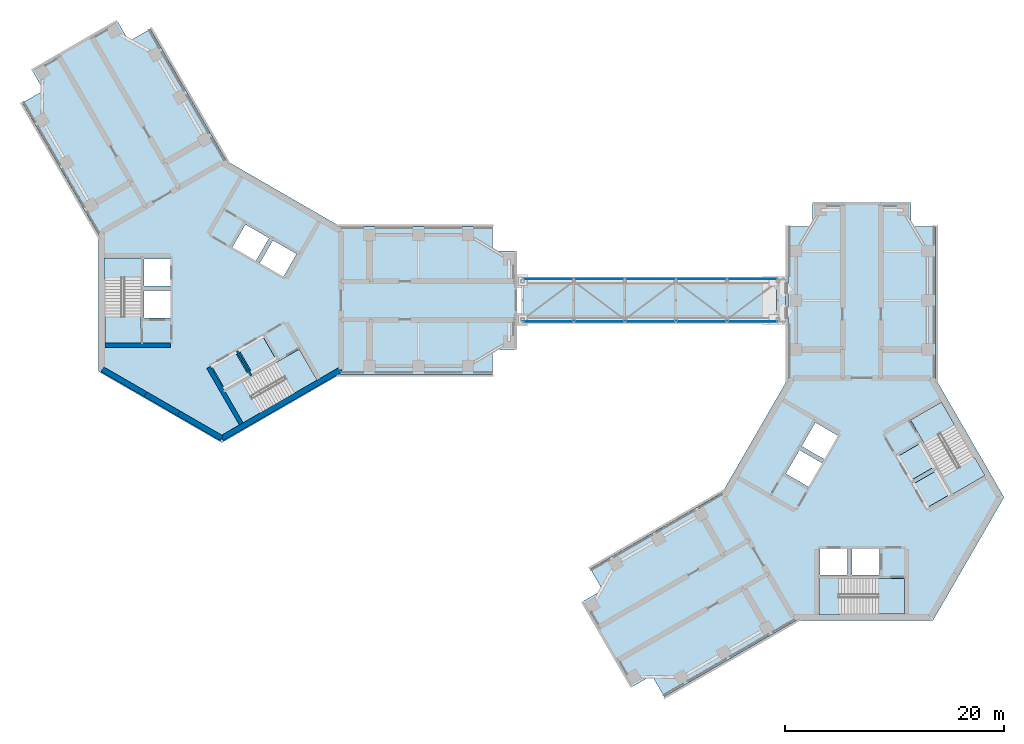
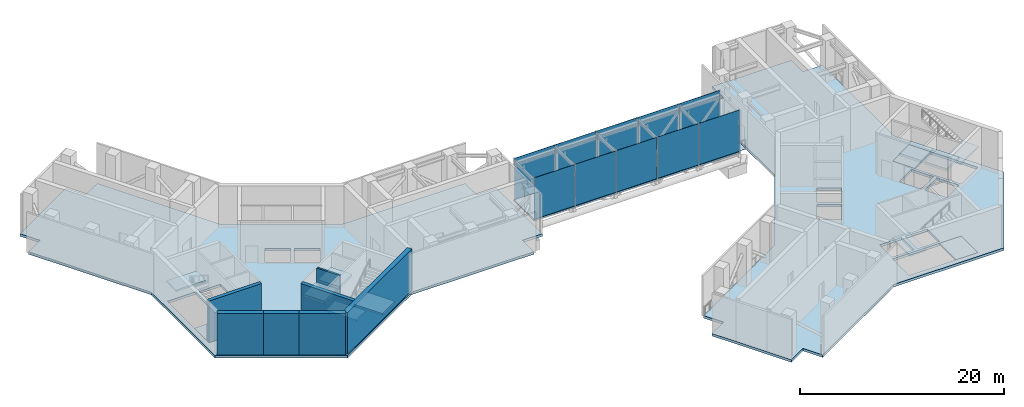
# One storey, part 6 of 15: 16 slabs, 10 plates, 7 walls, 6 elements without a shape of their own.
"""IFC4 building model written with IfcOpenShell, lengths in metres."""

from ifc_helpers import new_model, si_unit, direction, frame, frame_2d, origin, origin_2d, place, context, subcontext, project, spatial, polyline, rectangle, outline, extrude, material, layer, layer_set, type_object, element, aggregate, save


model = new_model("IFC4")

# Units and contexts
model_context = context("Model", 3, precision=1e-05, world=origin(), true_north=direction((0.0, 1.0)))
body_context = subcontext(model_context, "Body", "Model", "MODEL_VIEW")
ifc_project = project(units=[si_unit("LENGTHUNIT", "METRE"), si_unit("AREAUNIT", "SQUARE_METRE"), si_unit("VOLUMEUNIT", "CUBIC_METRE"), si_unit("PLANEANGLEUNIT", "RADIAN"), si_unit("MASSUNIT", "GRAM", prefix="KILO")], contexts=[model_context])

# Site, building, storey
site_placement = place(None, origin())
site = spatial("IfcSite", under=ifc_project, at=site_placement, CompositionType="ELEMENT")
building_placement = place(site_placement, origin())
building = spatial("IfcBuilding", under=site, at=building_placement, Name="Upepo Twin Towers", CompositionType="ELEMENT")
storey_placement = place(building_placement, frame((0.0, 0.0, 238.5)))
storey = spatial("IfcBuildingStorey", under=building, at=storey_placement, Name="L58", CompositionType="ELEMENT", Elevation=238.5)

# Slab
ifc_material_1 = material(Name="Concrete C40/50 on steel deck", Category="concrete")
ifc_layer_1 = layer(ifc_material_1, 0.199951171875)
ifc_layer_set_1 = layer_set([ifc_layer_1], Name="Concrete C40/50 on steel deck")
slab_type_1 = type_object("IfcSlabType", Name="Bridge deck 200 composite", PredefinedType="FLOOR", material=ifc_layer_set_1)
slab_1_placement = place(storey_placement, frame((0.0, 0.0, -0.199951171875)))
element("IfcSlab", 1, at=slab_1_placement, inside=storey, type_object=slab_type_1, Name="BR3 deck slab", PredefinedType="FLOOR", context=body_context, shape_type="SweptSolid", body=[
    extrude(outline(polyline([(27.5, -2.0), (50.840087890625, -2.0), (50.840087890625, 2.0), (27.5, 2.0), (27.5, -2.0)])), origin(), (0.0, 0.0, 1.0), 0.199951171875),
])

# Curtain wall, plates
ifc_material_2 = material(Name="Aluminium and clear glass", Category="aluminium")
curtain_wall_type = type_object("IfcCurtainWallType", Name="Bridge curtain wall BW1", PredefinedType="NOTDEFINED", material=ifc_material_2)
curtain_wall_1_placement = place(storey_placement, origin())
curtain_wall_1 = element("IfcCurtainWall", 2, at=curtain_wall_1_placement, inside=storey, type_object=curtain_wall_type, Name="BR3 curtain wall N", PredefinedType="NOTDEFINED")
ifc_material_3 = material(Name="Clear laminated glass", Category="glass")
ifc_layer_2 = layer(ifc_material_3, 0.028076171875)
ifc_layer_set_2 = layer_set([ifc_layer_2], Name="Clear glass panel, 28 mm double glazed")
plate_type = type_object("IfcPlateType", Name="Clear glass panel, 28 mm double glazed", PredefinedType="CURTAIN_PANEL", material=ifc_layer_set_2)
plate_1_placement = place(storey_placement, frame((48.48974609375, 1.93994140625, -0.080078125), z_axis=(0.0, 0.0, 1.0), x_axis=(-1.0, 0.0, 0.0)))
plate_1 = element("IfcPlate", 3, at=plate_1_placement, type_object=plate_type, Name="BR3 curtain wall N panel 1", PredefinedType="CURTAIN_PANEL", context=body_context, shape_type="SweptSolid", body=[
    extrude(rectangle(XDim=4.570556640625, YDim=0.031982421875, at=origin_2d()), origin(), (0.0, 0.0, 1.0), 5.030029296875),
])
plate_2_placement = place(storey_placement, frame((43.837890625, 1.93994140625, -0.080078125), z_axis=(0.0, 0.0, 1.0), x_axis=(-1.0, 0.0, 0.0)))
plate_2 = element("IfcPlate", 4, at=plate_2_placement, type_object=plate_type, Name="BR3 curtain wall N panel 2", PredefinedType="CURTAIN_PANEL", context=body_context, shape_type="SweptSolid", body=[
    extrude(rectangle(XDim=4.60302734375, YDim=0.031982421875, at=origin_2d()), origin(), (0.0, 0.0, 1.0), 5.030029296875),
])
plate_3_placement = place(storey_placement, frame((39.169921875, 1.93994140625, -0.080078125), z_axis=(0.0, 0.0, 1.0), x_axis=(-1.0, 0.0, 0.0)))
plate_3 = element("IfcPlate", 5, at=plate_3_placement, type_object=plate_type, Name="BR3 curtain wall N panel 3", PredefinedType="CURTAIN_PANEL", context=body_context, shape_type="SweptSolid", body=[
    extrude(rectangle(XDim=4.60302734375, YDim=0.031982421875, at=origin_2d()), origin(), (0.0, 0.0, 1.0), 5.030029296875),
])
plate_4_placement = place(storey_placement, frame((34.501953125, 1.93994140625, -0.080078125), z_axis=(0.0, 0.0, 1.0), x_axis=(-1.0, 0.0, 0.0)))
plate_4 = element("IfcPlate", 6, at=plate_4_placement, type_object=plate_type, Name="BR3 curtain wall N panel 4", PredefinedType="CURTAIN_PANEL", context=body_context, shape_type="SweptSolid", body=[
    extrude(rectangle(XDim=4.60302734375, YDim=0.031982421875, at=origin_2d()), origin(), (0.0, 0.0, 1.0), 5.030029296875),
])
plate_5_placement = place(storey_placement, frame((29.850341796875, 1.93994140625, -0.080078125), z_axis=(0.0, 0.0, 1.0), x_axis=(-1.0, 0.0, 0.0)))
plate_5 = element("IfcPlate", 7, at=plate_5_placement, type_object=plate_type, Name="BR3 curtain wall N panel 5", PredefinedType="CURTAIN_PANEL", context=body_context, shape_type="SweptSolid", body=[
    extrude(rectangle(XDim=4.570556640625, YDim=0.031982421875, at=origin_2d()), origin(), (0.0, 0.0, 1.0), 5.030029296875),
])
aggregate(curtain_wall_1, [plate_1, plate_2, plate_3, plate_4, plate_5])

curtain_wall_2_placement = place(storey_placement, origin())
curtain_wall_2 = element("IfcCurtainWall", 8, at=curtain_wall_2_placement, inside=storey, type_object=curtain_wall_type, Name="BR3 curtain wall S", PredefinedType="NOTDEFINED")
plate_6_placement = place(storey_placement, frame((29.850341796875, -1.93994140625, -0.080078125), z_axis=(0.0, 0.0, 1.0), x_axis=(1.0, 0.0, 0.0)))
plate_6 = element("IfcPlate", 9, at=plate_6_placement, type_object=plate_type, Name="BR3 curtain wall S panel 1", PredefinedType="CURTAIN_PANEL", context=body_context, shape_type="SweptSolid", body=[
    extrude(rectangle(XDim=4.570556640625, YDim=0.031982421875, at=origin_2d()), origin(), (0.0, 0.0, 1.0), 5.030029296875),
])
plate_7_placement = place(storey_placement, frame((34.501953125, -1.93994140625, -0.080078125), z_axis=(0.0, 0.0, 1.0), x_axis=(1.0, 0.0, 0.0)))
plate_7 = element("IfcPlate", 10, at=plate_7_placement, type_object=plate_type, Name="BR3 curtain wall S panel 2", PredefinedType="CURTAIN_PANEL", context=body_context, shape_type="SweptSolid", body=[
    extrude(rectangle(XDim=4.60302734375, YDim=0.031982421875, at=origin_2d()), origin(), (0.0, 0.0, 1.0), 5.030029296875),
])
plate_8_placement = place(storey_placement, frame((39.169921875, -1.93994140625, -0.080078125), z_axis=(0.0, 0.0, 1.0), x_axis=(1.0, 0.0, 0.0)))
plate_8 = element("IfcPlate", 11, at=plate_8_placement, type_object=plate_type, Name="BR3 curtain wall S panel 3", PredefinedType="CURTAIN_PANEL", context=body_context, shape_type="SweptSolid", body=[
    extrude(rectangle(XDim=4.60302734375, YDim=0.031982421875, at=origin_2d()), origin(), (0.0, 0.0, 1.0), 5.030029296875),
])
plate_9_placement = place(storey_placement, frame((43.837890625, -1.93994140625, -0.080078125), z_axis=(0.0, 0.0, 1.0), x_axis=(1.0, 0.0, 0.0)))
plate_9 = element("IfcPlate", 12, at=plate_9_placement, type_object=plate_type, Name="BR3 curtain wall S panel 4", PredefinedType="CURTAIN_PANEL", context=body_context, shape_type="SweptSolid", body=[
    extrude(rectangle(XDim=4.60302734375, YDim=0.031982421875, at=origin_2d()), origin(), (0.0, 0.0, 1.0), 5.030029296875),
])
plate_10_placement = place(storey_placement, frame((48.48974609375, -1.93994140625, -0.080078125), z_axis=(0.0, 0.0, 1.0), x_axis=(1.0, 0.0, 0.0)))
plate_10 = element("IfcPlate", 13, at=plate_10_placement, type_object=plate_type, Name="BR3 curtain wall S panel 5", PredefinedType="CURTAIN_PANEL", context=body_context, shape_type="SweptSolid", body=[
    extrude(rectangle(XDim=4.570556640625, YDim=0.031982421875, at=origin_2d()), origin(), (0.0, 0.0, 1.0), 5.030029296875),
])
aggregate(curtain_wall_2, [plate_6, plate_7, plate_8, plate_9, plate_10])

# Slabs
ifc_material_4 = material(Name="Steel chequer plate S275", Category="steel")
ifc_layer_3 = layer(ifc_material_4, 0.02001953125)
ifc_layer_set_3 = layer_set([ifc_layer_3], Name="Steel chequer plate S275")
slab_type_2 = type_object("IfcSlabType", Name="Expansion joint cover plate 20 steel", PredefinedType="USERDEFINED", material=ifc_layer_set_3)
slab_2_placement = place(storey_placement, origin())
element("IfcSlab", 14, at=slab_2_placement, inside=storey, type_object=slab_type_2, Name="BR3 movement joint cover plate at T2", ObjectType="COVER PLATE", PredefinedType="USERDEFINED", context=body_context, shape_type="SweptSolid", body=[
    extrude(outline(polyline([(50.68994140625, -1.949951171875), (51.544921875, -1.949951171875), (51.544921875, 1.949951171875), (50.68994140625, 1.949951171875), (50.68994140625, -1.949951171875)])), origin(), (0.0, 0.0, 1.0), 0.02001953125),
])
ifc_material_5 = material(Name="Concrete C40/50", Category="concrete")
ifc_layer_4 = layer(ifc_material_5, 0.300048828125)
ifc_layer_set_4 = layer_set([ifc_layer_4], Name="Concrete C40/50")
slab_type_3 = type_object("IfcSlabType", Name="Lift pit base 300 RC", PredefinedType="USERDEFINED", material=ifc_layer_set_4)
slab_3_placement = place(storey_placement, frame((0.0, 0.0, 3.10009765625)))
element("IfcSlab", 15, at=slab_3_placement, inside=storey, type_object=slab_type_3, Name="T1 lift TL1 pit base", ObjectType="LIFT PIT BASE", PredefinedType="USERDEFINED", context=body_context, shape_type="SweptSolid", body=[
    extrude(outline(polyline([(-0.94091796875, -5.97021484375), (0.259033203125, -8.048828125), (2.424072265625, -6.798828125), (1.22412109375, -4.72021484375), (-0.94091796875, -5.97021484375)])), origin(), (0.0, 0.0, 1.0), 0.2998046875),
])
slab_4_placement = place(storey_placement, frame((0.0, 0.0, 3.10009765625)))
element("IfcSlab", 16, at=slab_4_placement, inside=storey, type_object=slab_type_3, Name="T1 lift TL2 pit base", ObjectType="LIFT PIT BASE", PredefinedType="USERDEFINED", context=body_context, shape_type="SweptSolid", body=[
    extrude(outline(polyline([(1.570556640625, -4.520263671875), (2.7705078125, -6.598876953125), (4.935546875, -5.348876953125), (3.735595703125, -3.270263671875), (1.570556640625, -4.520263671875)])), origin(), (0.0, 0.0, 1.0), 0.2998046875),
])
slab_5_placement = place(storey_placement, frame((0.0, 0.0, 3.10009765625)))
element("IfcSlab", 17, at=slab_5_placement, inside=storey, type_object=slab_type_3, Name="T2 lift TL1 pit base", ObjectType="LIFT PIT BASE", PredefinedType="USERDEFINED", context=body_context, shape_type="SweptSolid", body=[
    extrude(outline(polyline([(64.47021484375, -18.94091796875), (66.548828125, -17.740966796875), (65.298828125, -15.575927734375), (63.22021484375, -16.77587890625), (64.47021484375, -18.94091796875)])), origin(), (0.0, 0.0, 1.0), 0.2998046875),
])
slab_6_placement = place(storey_placement, frame((0.0, 0.0, 3.10009765625)))
element("IfcSlab", 18, at=slab_6_placement, inside=storey, type_object=slab_type_3, Name="T2 lift TL2 pit base", ObjectType="LIFT PIT BASE", PredefinedType="USERDEFINED", context=body_context, shape_type="SweptSolid", body=[
    extrude(outline(polyline([(63.020263671875, -16.429443359375), (65.098876953125, -15.2294921875), (63.848876953125, -13.064453125), (61.770263671875, -14.264404296875), (63.020263671875, -16.429443359375)])), origin(), (0.0, 0.0, 1.0), 0.2998046875),
])
ifc_material_6 = material(Name="Concrete C40/50", Category="concrete")
ifc_layer_5 = layer(ifc_material_6, 0.300048828125)
ifc_layer_set_5 = layer_set([ifc_layer_5], Name="Concrete C40/50")
slab_type_4 = type_object("IfcSlabType", Name="Refuge and plant floor slab 300 RC", PredefinedType="FLOOR", material=ifc_layer_set_5)
slab_7_placement = place(storey_placement, frame((0.0, 0.0, -0.300048828125)))
element("IfcSlab", 19, at=slab_7_placement, inside=storey, type_object=slab_type_4, Name="T1 L58 floor slab", PredefinedType="FLOOR", context=body_context, shape_type="SweptSolid", body=[
    extrude(outline(polyline([(10.825439453125, 6.75), (24.75, 6.75), (24.75, 4.5), (27.0, 4.5), (27.0, -4.5), (24.75, -4.5), (24.75, -6.75), (10.825439453125, -6.75), (0.0, -13.0), (-11.25830078125, -6.5), (-11.25830078125, 6.0), (-18.220703125, 18.05908203125), (-16.272216796875, 19.18408203125), (-17.397216796875, 21.132568359375), (-9.602783203125, 25.632568359375), (-8.477783203125, 23.68408203125), (-6.529296875, 24.80908203125), (0.43310546875, 12.75), (10.825439453125, 6.75)]), holes=[polyline([(5.640869140625, 2.17041015625), (6.8408203125, 4.248779296875), (4.67578125, 5.498779296875), (3.475830078125, 3.42041015625), (5.640869140625, 2.17041015625)]), polyline([(3.12939453125, 3.620361328125), (4.329345703125, 5.69873046875), (2.164306640625, 6.94873046875), (0.96435546875, 4.870361328125), (3.12939453125, 3.620361328125)]), polyline([(-4.699951171875, 3.800048828125), (-7.10009765625, 3.800048828125), (-7.10009765625, 1.300048828125), (-4.699951171875, 1.300048828125), (-4.699951171875, 3.800048828125)]), polyline([(-4.699951171875, 0.89990234375), (-7.10009765625, 0.89990234375), (-7.10009765625, -1.60009765625), (-4.699951171875, -1.60009765625), (-4.699951171875, 0.89990234375)]), polyline([(-7.39990234375, 3.89990234375), (-10.658447265625, 3.89990234375), (-10.658447265625, -3.89990234375), (-7.39990234375, -3.89990234375), (-7.39990234375, 3.89990234375)]), polyline([(-0.94091796875, -5.97021484375), (0.259033203125, -8.048828125), (2.424072265625, -6.798828125), (1.22412109375, -4.72021484375), (-0.94091796875, -5.97021484375)]), polyline([(1.570556640625, -4.520263671875), (2.7705078125, -6.598876953125), (4.935546875, -5.348876953125), (3.735595703125, -3.270263671875), (1.570556640625, -4.520263671875)]), polyline([(0.322509765625, -8.358642578125), (1.95166015625, -11.180419921875), (8.70654296875, -7.2802734375), (7.077392578125, -4.45849609375), (0.322509765625, -8.358642578125)])]), origin(), (0.0, 0.0, 1.0), 0.300048828125),
])
slab_8_placement = place(storey_placement, frame((0.0, 0.0, -0.300048828125)))
element("IfcSlab", 20, at=slab_8_placement, inside=storey, type_object=slab_type_4, Name="T2 L58 floor slab", PredefinedType="FLOOR", context=body_context, shape_type="SweptSolid", body=[
    extrude(outline(polyline([(51.75, -7.174560546875), (51.75, 6.75), (54.0, 6.75), (54.0, 9.0), (63.0, 9.0), (63.0, 6.75), (65.25, 6.75), (65.25, -7.174560546875), (71.5, -18.0), (65.0, -29.25830078125), (52.5, -29.25830078125), (40.44091796875, -36.220703125), (39.31591796875, -34.272216796875), (37.367431640625, -35.397216796875), (32.867431640625, -27.602783203125), (34.81591796875, -26.477783203125), (33.69091796875, -24.529296875), (45.75, -17.56689453125), (51.75, -7.174560546875)]), holes=[polyline([(56.32958984375, -12.359130859375), (54.251220703125, -11.1591796875), (53.001220703125, -13.32421875), (55.07958984375, -14.524169921875), (56.32958984375, -12.359130859375)]), polyline([(54.879638671875, -14.87060546875), (52.80126953125, -13.670654296875), (51.55126953125, -15.835693359375), (53.629638671875, -17.03564453125), (54.879638671875, -14.87060546875)]), polyline([(54.699951171875, -22.699951171875), (54.699951171875, -25.10009765625), (57.199951171875, -25.10009765625), (57.199951171875, -22.699951171875), (54.699951171875, -22.699951171875)]), polyline([(57.60009765625, -22.699951171875), (57.60009765625, -25.10009765625), (60.10009765625, -25.10009765625), (60.10009765625, -22.699951171875), (57.60009765625, -22.699951171875)]), polyline([(54.60009765625, -25.39990234375), (54.60009765625, -28.658447265625), (62.39990234375, -28.658447265625), (62.39990234375, -25.39990234375), (54.60009765625, -25.39990234375)]), polyline([(64.47021484375, -18.94091796875), (66.548828125, -17.740966796875), (65.298828125, -15.575927734375), (63.22021484375, -16.77587890625), (64.47021484375, -18.94091796875)]), polyline([(63.020263671875, -16.429443359375), (65.098876953125, -15.2294921875), (63.848876953125, -13.064453125), (61.770263671875, -14.264404296875), (63.020263671875, -16.429443359375)]), polyline([(66.858642578125, -17.677490234375), (69.680419921875, -16.04833984375), (65.7802734375, -9.29345703125), (62.95849609375, -10.922607421875), (66.858642578125, -17.677490234375)])]), origin(), (0.0, 0.0, 1.0), 0.300048828125),
])

# Stair, slabs
ifc_material_7 = material(Name="Concrete C40/50", Category="concrete")
stair_type = type_object("IfcStairType", Name="Core stair, two flights", PredefinedType="HALF_TURN_STAIR", material=ifc_material_7)
stair_1_placement = place(storey_placement, origin())
stair_1 = element("IfcStair", 21, at=stair_1_placement, inside=storey, type_object=stair_type, Name="T1 stair S1 L58", PredefinedType="HALF_TURN_STAIR")
ifc_material_8 = material(Name="Concrete C40/50", Category="concrete")
ifc_layer_6 = layer(ifc_material_8, 0.199951171875)
ifc_layer_set_6 = layer_set([ifc_layer_6], Name="Concrete C40/50")
slab_type_5 = type_object("IfcSlabType", Name="Stair landing 200 RC", PredefinedType="LANDING", material=ifc_layer_set_6)
slab_9_placement = place(storey_placement, frame((0.0, 0.0, -0.199951171875)))
slab_9 = element("IfcSlab", 22, at=slab_9_placement, type_object=slab_type_5, Name="Stair S1 landing 1", PredefinedType="LANDING", context=body_context, shape_type="SweptSolid", body=[
    extrude(outline(polyline([(-7.39990234375, -1.419921875), (-10.658447265625, -1.419921875), (-10.658447265625, -3.89990234375), (-7.39990234375, -3.89990234375), (-7.39990234375, -1.419921875)])), origin(), (0.0, 0.0, 1.0), 0.199951171875),
])
slab_10_placement = place(storey_placement, frame((0.0, 0.0, 2.300048828125)))
slab_10 = element("IfcSlab", 23, at=slab_10_placement, type_object=slab_type_5, Name="Stair S1 landing 2", PredefinedType="LANDING", context=body_context, shape_type="SweptSolid", body=[
    extrude(outline(polyline([(-7.300048828125, 3.89990234375), (-10.75830078125, 3.89990234375), (-10.75830078125, 2.02001953125), (-7.300048828125, 2.02001953125), (-7.300048828125, 3.89990234375)])), origin(), (0.0, 0.0, 1.0), 0.199951171875),
])
aggregate(stair_1, [slab_9, slab_10])

stair_2_placement = place(storey_placement, origin())
stair_2 = element("IfcStair", 24, at=stair_2_placement, inside=storey, type_object=stair_type, Name="T1 stair S2 L58", PredefinedType="HALF_TURN_STAIR")
slab_11_placement = place(storey_placement, frame((0.0, 0.0, -0.199951171875)))
slab_11 = element("IfcSlab", 25, at=slab_11_placement, type_object=slab_type_5, Name="Stair S2 landing 1", PredefinedType="LANDING", context=body_context, shape_type="SweptSolid", body=[
    extrude(outline(polyline([(4.9296875, -5.698486328125), (6.558837890625, -8.520263671875), (8.70654296875, -7.2802734375), (7.077392578125, -4.45849609375), (4.9296875, -5.698486328125)])), origin(), (0.0, 0.0, 1.0), 0.199951171875),
])
slab_12_placement = place(storey_placement, frame((0.0, 0.0, 2.300048828125)))
slab_12 = element("IfcSlab", 26, at=slab_12_placement, type_object=slab_type_5, Name="Stair S2 landing 2", PredefinedType="LANDING", context=body_context, shape_type="SweptSolid", body=[
    extrude(outline(polyline([(0.2724609375, -8.27197265625), (2.001708984375, -11.26708984375), (3.6298828125, -10.326904296875), (1.900634765625, -7.33203125), (0.2724609375, -8.27197265625)])), origin(), (0.0, 0.0, 1.0), 0.199951171875),
])
aggregate(stair_2, [slab_11, slab_12])

stair_3_placement = place(storey_placement, origin())
stair_3 = element("IfcStair", 27, at=stair_3_placement, inside=storey, type_object=stair_type, Name="T2 stair S1 L58", PredefinedType="HALF_TURN_STAIR")
slab_13_placement = place(storey_placement, frame((0.0, 0.0, -0.199951171875)))
slab_13 = element("IfcSlab", 28, at=slab_13_placement, type_object=slab_type_5, Name="Stair S1 landing 1", PredefinedType="LANDING", context=body_context, shape_type="SweptSolid", body=[
    extrude(outline(polyline([(59.919921875, -25.39990234375), (59.919921875, -28.658447265625), (62.39990234375, -28.658447265625), (62.39990234375, -25.39990234375), (59.919921875, -25.39990234375)])), origin(), (0.0, 0.0, 1.0), 0.199951171875),
])
slab_14_placement = place(storey_placement, frame((0.0, 0.0, 2.300048828125)))
slab_14 = element("IfcSlab", 29, at=slab_14_placement, type_object=slab_type_5, Name="Stair S1 landing 2", PredefinedType="LANDING", context=body_context, shape_type="SweptSolid", body=[
    extrude(outline(polyline([(54.60009765625, -25.300048828125), (54.60009765625, -28.75830078125), (56.47998046875, -28.75830078125), (56.47998046875, -25.300048828125), (54.60009765625, -25.300048828125)])), origin(), (0.0, 0.0, 1.0), 0.199951171875),
])
aggregate(stair_3, [slab_13, slab_14])

stair_4_placement = place(storey_placement, origin())
stair_4 = element("IfcStair", 30, at=stair_4_placement, inside=storey, type_object=stair_type, Name="T2 stair S2 L58", PredefinedType="HALF_TURN_STAIR")
slab_15_placement = place(storey_placement, frame((0.0, 0.0, -0.199951171875)))
slab_15 = element("IfcSlab", 31, at=slab_15_placement, type_object=slab_type_5, Name="Stair S2 landing 1", PredefinedType="LANDING", context=body_context, shape_type="SweptSolid", body=[
    extrude(outline(polyline([(64.198486328125, -13.0703125), (67.020263671875, -11.441162109375), (65.7802734375, -9.29345703125), (62.95849609375, -10.922607421875), (64.198486328125, -13.0703125)])), origin(), (0.0, 0.0, 1.0), 0.199951171875),
])
slab_16_placement = place(storey_placement, frame((0.0, 0.0, 2.300048828125)))
slab_16 = element("IfcSlab", 32, at=slab_16_placement, type_object=slab_type_5, Name="Stair S2 landing 2", PredefinedType="LANDING", context=body_context, shape_type="SweptSolid", body=[
    extrude(outline(polyline([(66.77197265625, -17.7275390625), (69.76708984375, -15.998291015625), (68.826904296875, -14.3701171875), (65.83203125, -16.099365234375), (66.77197265625, -17.7275390625)])), origin(), (0.0, 0.0, 1.0), 0.199951171875),
])
aggregate(stair_4, [slab_15, slab_16])

# Walls
ifc_material_9 = material(Name="Concrete C60/75", Category="concrete")
ifc_layer_7 = layer(ifc_material_9, 0.5)
ifc_layer_set_7 = layer_set([ifc_layer_7], Name="Concrete C60/75")
wall_type_1 = type_object("IfcWallType", Name="Core wall 500 RC", PredefinedType="SHEAR", material=ifc_layer_set_7)
wall_1_placement = place(storey_placement, frame((-10.908447265625, -6.2978515625, 0.0), z_axis=(0.0, 0.0, 1.0), x_axis=(0.866034513004, -0.499984222037, 0.0)))
element("IfcWall", 33, at=wall_1_placement, inside=storey, type_object=wall_type_1, Name="T1 core wall 240 R", PredefinedType="SHEAR", context=body_context, shape_type="SweptSolid", body=[
    extrude(rectangle(XDim=4.548095703125, YDim=0.5, at=frame_2d((2.27392578125, 0.0))), origin(), (0.0, 0.0, 1.0), 5.0),
])
wall_2_placement = place(storey_placement, frame((-6.9697265625, -8.57177734375, 0.0), z_axis=(0.0, 0.0, 1.0), x_axis=(0.866019471182, -0.500010275428, 0.0)))
element("IfcWall", 34, at=wall_2_placement, inside=storey, type_object=wall_type_1, Name="T1 core wall 240", PredefinedType="SHEAR", context=body_context, shape_type="SweptSolid", body=[
    extrude(rectangle(XDim=3.5, YDim=0.5, at=frame_2d((1.75, 0.0))), origin(), (0.0, 0.0, 1.0), 5.0),
])
wall_3_placement = place(storey_placement, frame((-3.938720703125, -10.32177734375, 0.0), z_axis=(0.0, 0.0, 1.0), x_axis=(0.866011268655, -0.500024481964, 0.0)))
element("IfcWall", 35, at=wall_3_placement, inside=storey, type_object=wall_type_1, Name="T1 core wall 240 L", PredefinedType="SHEAR", context=body_context, shape_type="SweptSolid", body=[
    extrude(rectangle(XDim=4.548095703125, YDim=0.5, at=frame_2d((2.27392578125, 0.0))), origin(), (0.0, 0.0, 1.0), 5.0),
])
wall_4_placement = place(storey_placement, frame((0.0, -12.595947265625, 0.0), z_axis=(0.0, 0.0, 1.0), x_axis=(0.866021940709, 0.500005998175, 0.0)))
element("IfcWall", 36, at=wall_4_placement, inside=storey, type_object=wall_type_1, Name="T1 core wall 300", PredefinedType="SHEAR", context=body_context, shape_type="SweptSolid", body=[
    extrude(rectangle(XDim=12.595947265625, YDim=0.5, at=frame_2d((6.2978515625, 0.0))), origin(), (0.0, 0.0, 1.0), 5.0),
])
ifc_material_10 = material(Name="Concrete C40/50", Category="concrete")
ifc_layer_8 = layer(ifc_material_10, 0.199951171875)
ifc_layer_set_8 = layer_set([ifc_layer_8], Name="Concrete C40/50")
wall_type_2 = type_object("IfcWallType", Name="Shaft wall 200 RC", PredefinedType="SHEAR", material=ifc_layer_set_8)
wall_5_placement = place(storey_placement, frame((1.3974609375, -4.620361328125, 0.0), z_axis=(0.0, 0.0, 1.0), x_axis=(0.499936506574, -0.866062058628, 0.0)))
element("IfcWall", 37, at=wall_5_placement, inside=storey, type_object=wall_type_2, Name="T1 core W300 shaft divider", PredefinedType="SHEAR", context=body_context, shape_type="SweptSolid", body=[
    extrude(rectangle(XDim=2.599853515625, YDim=0.199951171875, at=frame_2d((1.2998046875, 0.0))), origin(), (0.0, 0.0, 1.0), 5.0),
])
ifc_material_11 = material(Name="Concrete C40/50", Category="concrete")
ifc_layer_9 = layer(ifc_material_11, 0.39990234375)
ifc_layer_set_9 = layer_set([ifc_layer_9], Name="Concrete C40/50")
wall_type_3 = type_object("IfcWallType", Name="Shaft wall 400 RC", PredefinedType="SHEAR", material=ifc_layer_set_9)
wall_6_placement = place(storey_placement, frame((-4.699951171875, -4.10009765625, 0.0), z_axis=(0.0, 0.0, 1.0), x_axis=(-1.0, 0.0, 0.0)))
element("IfcWall", 38, at=wall_6_placement, inside=storey, type_object=wall_type_3, Name="T1 core W180 side wall N", PredefinedType="SHEAR", context=body_context, shape_type="SweptSolid", body=[
    extrude(rectangle(XDim=5.95849609375, YDim=0.39990234375, at=frame_2d((2.979248046875, 0.0))), origin(), (0.0, 0.0, 1.0), 5.0),
])
wall_7_placement = place(storey_placement, frame((-1.20068359375, -6.120361328125, 0.0), z_axis=(0.0, 0.0, 1.0), x_axis=(0.500021575205, -0.866012946976, 0.0)))
element("IfcWall", 39, at=wall_7_placement, inside=storey, type_object=wall_type_3, Name="T1 core W300 side wall S", PredefinedType="SHEAR", context=body_context, shape_type="SweptSolid", body=[
    extrude(rectangle(XDim=5.958251953125, YDim=0.39990234375, at=frame_2d((2.97900390625, 0.0))), origin(), (0.0, 0.0, 1.0), 5.0),
])

save(model, "model.ifc")
